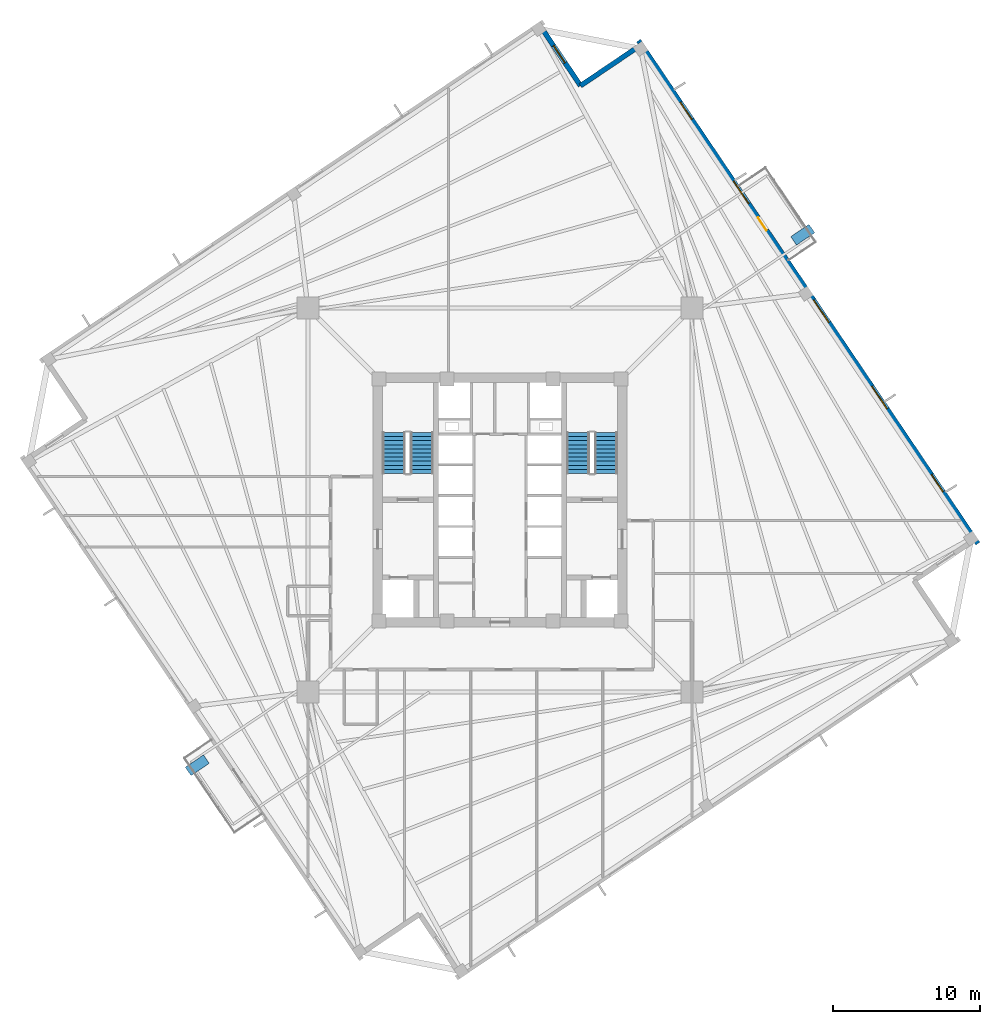
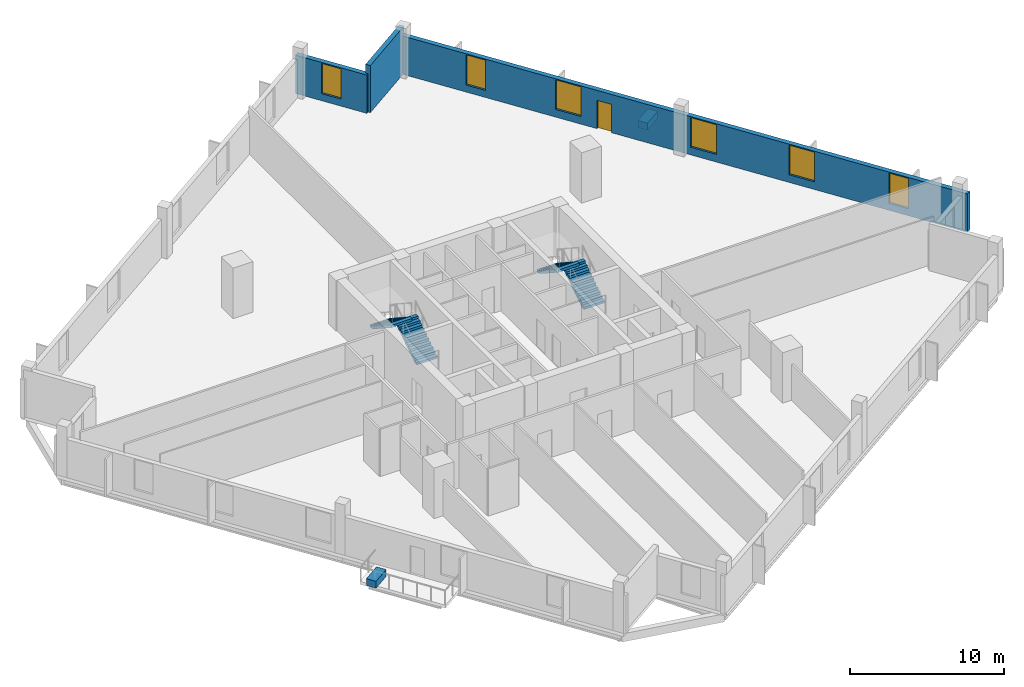
# One storey, part 6 of 9: 6 windows, 4 stair flights, 3 walls, 2 discrete accessories, 1 door, 7 openings, 2 elements without a shape of their own.
"""IFC4 building model written with IfcOpenShell, lengths in metres."""

from ifc_helpers import new_model, si_unit, direction, frame, frame_2d, origin, origin_2d, place, context, subcontext, project, spatial, polyline, rectangle, outline, extrude, source, transform, mapped, material, layer, layer_set, type_object, element, fill, aggregate, save


model = new_model("IFC4")

# Units and contexts
model_context = context("Model", 3, precision=1e-05, world=origin(), true_north=direction((0.0, 1.0)))
body_context = subcontext(model_context, "Body", "Model", "MODEL_VIEW")
ifc_project = project(units=[si_unit("LENGTHUNIT", "METRE"), si_unit("AREAUNIT", "SQUARE_METRE"), si_unit("VOLUMEUNIT", "CUBIC_METRE"), si_unit("PLANEANGLEUNIT", "RADIAN"), si_unit("MASSUNIT", "GRAM", prefix="KILO"), si_unit("THERMODYNAMICTEMPERATUREUNIT", "KELVIN")], contexts=[model_context])

# Site, building, storey
site_placement = place(None, origin())
site = spatial("IfcSite", under=ifc_project, at=site_placement, CompositionType="ELEMENT")
building_placement = place(site_placement, origin())
building = spatial("IfcBuilding", under=site, at=building_placement, Name="Kosmvard Interchange Tower", CompositionType="ELEMENT")
storey_placement = place(building_placement, frame((0.0, 0.0, 156.39990234375)))
storey = spatial("IfcBuildingStorey", under=building, at=storey_placement, Name="L37", CompositionType="ELEMENT", Elevation=156.39990234375)

# Wall, openings, door, windows
ifc_material_1 = material(Name="Precast concrete C45/55", Category="concrete")
ifc_layer = layer(ifc_material_1, 0.340087890625, Name="Precast concrete C45/55")
ifc_layer_set = layer_set([ifc_layer], Name="Precast concrete C45/55")
wall_type = type_object("IfcWallType", Name="Mid Tower Precast Pier Wall 340 C45/55", PredefinedType="STANDARD", material=ifc_layer_set)
wall_1_placement = place(storey_placement, frame((32.55810546875, -2.971923828125, 0.0), z_axis=(0.0, 0.0, 1.0), x_axis=(-0.559194910251, 0.829036218961, 0.0)))
wall_1 = element("IfcWall", 1, at=wall_1_placement, inside=storey, type_object=wall_type, Name="L37 Precast Facade Wall F-E", PredefinedType="STANDARD", context=body_context, shape_type="SweptSolid", body=[
    extrude(rectangle(XDim=41.340087890625, YDim=0.340087890625, at=frame_2d((20.669921875, 0.0))), origin(), (0.0, 0.0, 1.0), 3.0400390625),
])
opening_1_placement = place(wall_1_placement, frame((25.7451171875, 0.0, 0.0)))
opening_1 = element("IfcOpeningElement", 2, at=opening_1_placement, cuts=wall_1, Name="Opening L37-BDE", PredefinedType="OPENING", context=body_context, shape_type="SweptSolid", body=[
    extrude(rectangle(XDim=1.050048828125, YDim=2.25, at=frame_2d((0.52490234375, 1.125))), frame((0.0, 0.18017578125, 0.0), z_axis=(0.0, -1.0, 0.0), x_axis=(1.0, 0.0, 0.0)), (0.0, 0.0, 1.0), 0.360107421875),
])
opening_2_placement = place(wall_1_placement, frame((4.2607421875, 0.0, 0.56005859375)))
opening_2 = element("IfcOpeningElement", 3, at=opening_2_placement, cuts=wall_1, Name="Opening L37-W06", PredefinedType="OPENING", context=body_context, shape_type="SweptSolid", body=[
    extrude(rectangle(XDim=1.39990234375, YDim=2.39990234375, at=frame_2d((0.699951171875, 1.199951171875))), frame((0.0, 0.18017578125, 0.0), z_axis=(0.0, -1.0, 0.0), x_axis=(1.0, 0.0, 0.0)), (0.0, 0.0, 1.0), 0.360107421875),
])
opening_3_placement = place(wall_1_placement, frame((11.063720703125, 0.0, 0.610107421875)))
opening_3 = element("IfcOpeningElement", 4, at=opening_3_placement, cuts=wall_1, Name="Opening L37-W07", PredefinedType="OPENING", context=body_context, shape_type="SweptSolid", body=[
    extrude(rectangle(XDim=1.85009765625, YDim=2.35009765625, at=frame_2d((0.925048828125, 1.175048828125))), frame((0.0, 0.18017578125, 0.0), z_axis=(0.0, -1.0, 0.0), x_axis=(1.0, 0.0, 0.0)), (0.0, 0.0, 1.0), 0.360107421875),
])
opening_4_placement = place(wall_1_placement, frame((18.168212890625, 0.0, 0.610107421875)))
opening_4 = element("IfcOpeningElement", 5, at=opening_4_placement, cuts=wall_1, Name="Opening L37-W08", PredefinedType="OPENING", context=body_context, shape_type="SweptSolid", body=[
    extrude(rectangle(XDim=1.85009765625, YDim=2.35009765625, at=frame_2d((0.925048828125, 1.175048828125))), frame((0.0, 0.18017578125, 0.0), z_axis=(0.0, -1.0, 0.0), x_axis=(1.0, 0.0, 0.0)), (0.0, 0.0, 1.0), 0.360107421875),
])
opening_5_placement = place(wall_1_placement, frame((27.936279296875, 0.0, 0.610107421875)))
opening_5 = element("IfcOpeningElement", 6, at=opening_5_placement, cuts=wall_1, Name="Opening L37-W09", PredefinedType="OPENING", context=body_context, shape_type="SweptSolid", body=[
    extrude(rectangle(XDim=1.85009765625, YDim=2.35009765625, at=frame_2d((0.925048828125, 1.175048828125))), frame((0.0, 0.18017578125, 0.0), z_axis=(0.0, -1.0, 0.0), x_axis=(1.0, 0.0, 0.0)), (0.0, 0.0, 1.0), 0.360107421875),
])
opening_6_placement = place(wall_1_placement, frame((34.852294921875, 0.0, 0.56005859375)))
opening_6 = element("IfcOpeningElement", 7, at=opening_6_placement, cuts=wall_1, Name="Opening L37-W10", PredefinedType="OPENING", context=body_context, shape_type="SweptSolid", body=[
    extrude(rectangle(XDim=1.39990234375, YDim=2.39990234375, at=frame_2d((0.699951171875, 1.199951171875))), frame((0.0, 0.18017578125, 0.0), z_axis=(0.0, -1.0, 0.0), x_axis=(1.0, 0.0, 0.0)), (0.0, 0.0, 1.0), 0.360107421875),
])
ifc_material_2 = material(Name="Anodised aluminium and safety glass", Category="aluminium")
door_type = type_object("IfcDoorType", Name="Tree-Balcony Glazed Door 1050x2250", OperationType="NOTDEFINED", PredefinedType="DOOR", material=ifc_material_2)
shared_shape_1 = source(origin(), body_context, "Body", "SweptSolid", [
    extrude(rectangle(XDim=1.050048828125, YDim=2.25, at=frame_2d((0.52490234375, 1.125))), frame((0.0, 0.02490234375, 0.0), z_axis=(0.0, -1.0, 0.0), x_axis=(1.0, 0.0, 0.0)), (0.0, 0.0, 1.0), 0.050048828125),
])
door_placement = place(opening_1_placement, origin())
door = element("IfcDoor", 8, at=door_placement, inside=storey, type_object=door_type, Name="L37 Tree-Balcony Door BAL-L37-E", OperationType="SINGLE_SWING_RIGHT", OverallHeight=2.25, OverallWidth=1.050048828125, PredefinedType="DOOR", context=body_context, shape_type="MappedRepresentation", body=[
    mapped(shared_shape_1, transform((0.0, 0.0, 0.0), scale=1.0)),
])
fill(opening_1, door)
ifc_material_3 = material(Name="Low-E solar-control double glazing", Category="glass")
window_type_1 = type_object("IfcWindowType", Name="Notched Corner Feature Window 1400x2400", PartitioningType="SINGLE_PANEL", PredefinedType="WINDOW", material=ifc_material_3)
shared_shape_2 = source(origin(), body_context, "Body", "SweptSolid", [
    extrude(rectangle(XDim=1.39990234375, YDim=2.39990234375, at=frame_2d((0.699951171875, 1.199951171875))), frame((0.0, 0.030029296875, 0.0), z_axis=(0.0, -1.0, 0.0), x_axis=(1.0, 0.0, 0.0)), (0.0, 0.0, 1.0), 0.06005859375),
])
window_1_placement = place(opening_2_placement, origin())
window_1 = element("IfcWindow", 9, at=window_1_placement, inside=storey, type_object=window_type_1, Name="L37 Facade Punched Window 06", OverallHeight=2.39990234375, OverallWidth=1.39990234375, PartitioningType="SINGLE_PANEL", PredefinedType="WINDOW", context=body_context, shape_type="MappedRepresentation", body=[
    mapped(shared_shape_2, transform((0.0, 0.0, 0.0), scale=1.0)),
])
fill(opening_2, window_1)
window_2_placement = place(opening_6_placement, origin())
window_2 = element("IfcWindow", 10, at=window_2_placement, inside=storey, type_object=window_type_1, Name="L37 Facade Punched Window 10", OverallHeight=2.39990234375, OverallWidth=1.39990234375, PartitioningType="SINGLE_PANEL", PredefinedType="WINDOW", context=body_context, shape_type="MappedRepresentation", body=[
    mapped(shared_shape_2, transform((0.0, 0.0, 0.0), scale=1.0)),
])
fill(opening_6, window_2)
window_type_2 = type_object("IfcWindowType", Name="Zone 3 Office Punched Window 1850x2350", PartitioningType="SINGLE_PANEL", PredefinedType="WINDOW", material=ifc_material_3)
shared_shape_3 = source(origin(), body_context, "Body", "SweptSolid", [
    extrude(rectangle(XDim=1.85009765625, YDim=2.35009765625, at=frame_2d((0.925048828125, 1.175048828125))), frame((0.0, 0.030029296875, 0.0), z_axis=(0.0, -1.0, 0.0), x_axis=(1.0, 0.0, 0.0)), (0.0, 0.0, 1.0), 0.06005859375),
])
window_3_placement = place(opening_3_placement, origin())
window_3 = element("IfcWindow", 11, at=window_3_placement, inside=storey, type_object=window_type_2, Name="L37 Facade Punched Window 07", OverallHeight=2.35009765625, OverallWidth=1.85009765625, PartitioningType="SINGLE_PANEL", PredefinedType="WINDOW", context=body_context, shape_type="MappedRepresentation", body=[
    mapped(shared_shape_3, transform((0.0, 0.0, 0.0), scale=1.0)),
])
fill(opening_3, window_3)
window_4_placement = place(opening_4_placement, origin())
window_4 = element("IfcWindow", 12, at=window_4_placement, inside=storey, type_object=window_type_2, Name="L37 Facade Punched Window 08", OverallHeight=2.35009765625, OverallWidth=1.85009765625, PartitioningType="SINGLE_PANEL", PredefinedType="WINDOW", context=body_context, shape_type="MappedRepresentation", body=[
    mapped(shared_shape_3, transform((0.0, 0.0, 0.0), scale=1.0)),
])
fill(opening_4, window_4)
window_5_placement = place(opening_5_placement, origin())
window_5 = element("IfcWindow", 13, at=window_5_placement, inside=storey, type_object=window_type_2, Name="L37 Facade Punched Window 09", OverallHeight=2.35009765625, OverallWidth=1.85009765625, PartitioningType="SINGLE_PANEL", PredefinedType="WINDOW", context=body_context, shape_type="MappedRepresentation", body=[
    mapped(shared_shape_3, transform((0.0, 0.0, 0.0), scale=1.0)),
])
fill(opening_5, window_5)

# Wall
wall_2_placement = place(storey_placement, frame((9.631103515625, 31.018798828125, 0.0), z_axis=(0.0, 0.0, 1.0), x_axis=(-0.829025804298, -0.559210350234, 0.0)))
element("IfcWall", 14, at=wall_2_placement, inside=storey, type_object=wall_type, Name="L37 Precast Facade Wall N-NE1", PredefinedType="STANDARD", context=body_context, shape_type="SweptSolid", body=[
    extrude(rectangle(XDim=5.000244140625, YDim=0.340087890625, at=frame_2d((2.5, 0.0))), origin(), (0.0, 0.0, 1.0), 3.739990234375),
])

# Wall, opening, window
wall_3_placement = place(storey_placement, frame((5.48583984375, 28.22265625, 0.0), z_axis=(0.0, 0.0, 1.0), x_axis=(-0.559171107879, 0.82905227345, 0.0)))
wall_3 = element("IfcWall", 15, at=wall_3_placement, inside=storey, type_object=wall_type, Name="L37 Precast Facade Wall N-NE2", PredefinedType="STANDARD", context=body_context, shape_type="SweptSolid", body=[
    extrude(rectangle(XDim=5.169921875, YDim=0.340087890625, at=frame_2d((2.5849609375, 0.0))), origin(), (0.0, 0.0, 1.0), 3.0400390625),
])
opening_7_placement = place(wall_3_placement, frame((1.885009765625, 0.0, 0.56005859375)))
opening_7 = element("IfcOpeningElement", 16, at=opening_7_placement, cuts=wall_3, Name="Opening L37-W22", PredefinedType="OPENING", context=body_context, shape_type="SweptSolid", body=[
    extrude(rectangle(XDim=1.39990234375, YDim=2.39990234375, at=frame_2d((0.699951171875, 1.199951171875))), frame((0.0, 0.18017578125, 0.0), z_axis=(0.0, -1.0, 0.0), x_axis=(1.0, 0.0, 0.0)), (0.0, 0.0, 1.0), 0.360107421875),
])
window_6_placement = place(opening_7_placement, origin())
window_6 = element("IfcWindow", 17, at=window_6_placement, inside=storey, type_object=window_type_1, Name="L37 Corner Notch Window 22", OverallHeight=2.39990234375, OverallWidth=1.39990234375, PartitioningType="SINGLE_PANEL", PredefinedType="WINDOW", context=body_context, shape_type="MappedRepresentation", body=[
    mapped(shared_shape_2, transform((0.0, 0.0, 0.0), scale=1.0)),
])
fill(opening_7, window_6)

# Stair, stair flights
ifc_material_4 = material(Name="Concrete C50/60", Category="concrete")
stair_type = type_object("IfcStairType", Name="Dog-Leg Core Exit Stair H4000 C50/60", PredefinedType="HALF_TURN_STAIR", material=ifc_material_4)
stair_1_placement = place(storey_placement, origin())
stair_1 = element("IfcStair", 18, at=stair_1_placement, inside=storey, type_object=stair_type, Name="L37 Protected Exit Stair ST-1", PredefinedType="HALF_TURN_STAIR")
stair_flight_type = type_object("IfcStairFlightType", Name="Core Stair Flight W1550 H4000 C50/60", PredefinedType="STRAIGHT", material=ifc_material_4)
shared_shape_4 = source(origin(), body_context, "Body", "SweptSolid", [
    extrude(outline(polyline([(0.0, 0.0), (0.0, 0.181884765625), (0.280029296875, 0.181884765625), (0.280029296875, 0.363525390625), (0.56005859375, 0.363525390625), (0.56005859375, 0.54541015625), (0.840087890625, 0.54541015625), (0.840087890625, 0.727294921875), (1.1201171875, 0.727294921875), (1.1201171875, 0.9091796875), (1.39990234375, 0.9091796875), (1.39990234375, 1.0908203125), (1.679931640625, 1.0908203125), (1.679931640625, 1.272705078125), (1.9599609375, 1.272705078125), (1.9599609375, 1.45458984375), (2.239990234375, 1.45458984375), (2.239990234375, 1.636474609375), (2.52001953125, 1.636474609375), (2.52001953125, 1.818115234375), (2.800048828125, 1.818115234375), (2.800048828125, 2.0), (2.800048828125, 1.62744140625), (0.293701171875, 0.0), (0.0, 0.0)])), frame((0.0, 0.77490234375, 0.0), z_axis=(0.0, -1.0, 0.0), x_axis=(1.0, 0.0, 0.0)), (0.0, 0.0, 1.0), 1.550048828125),
])
stair_flight_1_placement = place(storey_placement, frame((-5.31494140625, 1.800048828125, 0.0), z_axis=(0.0, 0.0, 1.0), x_axis=(0.0, 1.0, 0.0)))
stair_flight_1 = element("IfcStairFlight", 19, at=stair_flight_1_placement, type_object=stair_flight_type, Name="ST-1 flight 1", NumberOfRisers=11, NumberOfTreads=10, PredefinedType="STRAIGHT", RiserHeight=0.181818182, TreadLength=0.28, context=body_context, shape_type="MappedRepresentation", body=[
    mapped(shared_shape_4, transform((0.0, 0.0, 0.0), scale=1.0)),
])
stair_flight_2_placement = place(storey_placement, frame((-7.22509765625, 4.60009765625, 2.0), z_axis=(0.0, 0.0, 1.0), x_axis=(0.0, -1.0, 0.0)))
stair_flight_2 = element("IfcStairFlight", 20, at=stair_flight_2_placement, type_object=stair_flight_type, Name="ST-1 flight 2", NumberOfRisers=11, NumberOfTreads=10, PredefinedType="STRAIGHT", RiserHeight=0.181818182, TreadLength=0.28, context=body_context, shape_type="MappedRepresentation", body=[
    mapped(shared_shape_4, transform((0.0, 0.0, 0.0), scale=1.0)),
])
aggregate(stair_1, [stair_flight_1, stair_flight_2])

stair_2_placement = place(storey_placement, origin())
stair_2 = element("IfcStair", 21, at=stair_2_placement, inside=storey, type_object=stair_type, Name="L37 Protected Exit Stair ST-2", PredefinedType="HALF_TURN_STAIR")
stair_flight_3_placement = place(storey_placement, frame((7.22509765625, 1.800048828125, 0.0), z_axis=(0.0, 0.0, 1.0), x_axis=(0.0, 1.0, 0.0)))
stair_flight_3 = element("IfcStairFlight", 22, at=stair_flight_3_placement, type_object=stair_flight_type, Name="ST-2 flight 1", NumberOfRisers=11, NumberOfTreads=10, PredefinedType="STRAIGHT", RiserHeight=0.181818182, TreadLength=0.28, context=body_context, shape_type="MappedRepresentation", body=[
    mapped(shared_shape_4, transform((0.0, 0.0, 0.0), scale=1.0)),
])
stair_flight_4_placement = place(storey_placement, frame((5.31494140625, 4.60009765625, 2.0), z_axis=(0.0, 0.0, 1.0), x_axis=(0.0, -1.0, 0.0)))
stair_flight_4 = element("IfcStairFlight", 23, at=stair_flight_4_placement, type_object=stair_flight_type, Name="ST-2 flight 2", NumberOfRisers=11, NumberOfTreads=10, PredefinedType="STRAIGHT", RiserHeight=0.181818182, TreadLength=0.28, context=body_context, shape_type="MappedRepresentation", body=[
    mapped(shared_shape_4, transform((0.0, 0.0, 0.0), scale=1.0)),
])
aggregate(stair_2, [stair_flight_3, stair_flight_4])

# Discrete accessories
ifc_material_5 = material(Name="Terracotta precast planter concrete C45/55", Category="masonry")
discrete_accessory_type = type_object("IfcDiscreteAccessoryType", Name="Precast Tree-Balcony & Terrace Planter Box", PredefinedType="USERDEFINED", material=ifc_material_5)
shared_shape_5 = source(origin(), body_context, "Body", "SweptSolid", [
    extrude(rectangle(XDim=1.5, YDim=0.699951171875, at=origin_2d()), origin(), (0.0, 0.0, 1.0), 0.550048828125),
])
for number, where, z_axis, x_axis, name in (
    (24, (20.62060546875, 18.0703125, 0.0), (0.0, 0.0, 1.0), (0.829037572555, 0.559192903471, 0.0), "L37 Balcony Tree Planter BAL-L37-E"),
    (25, (-20.62060546875, -18.0703125, 0.0), (0.0, 0.0, 1.0), (0.829037572555, 0.559192903471, 0.0), "L37 Balcony Tree Planter BAL-L37-W"),
):
    element("IfcDiscreteAccessory", number, at=place(storey_placement, frame(where, z_axis=z_axis, x_axis=x_axis)), inside=storey, type_object=discrete_accessory_type, Name=name, ObjectType="PLANTER", PredefinedType="USERDEFINED", context=body_context, shape_type="MappedRepresentation", body=[
        mapped(shared_shape_5, transform((0.0, 0.0, 0.0), scale=1.0)),
    ])

save(model, "model.ifc")
